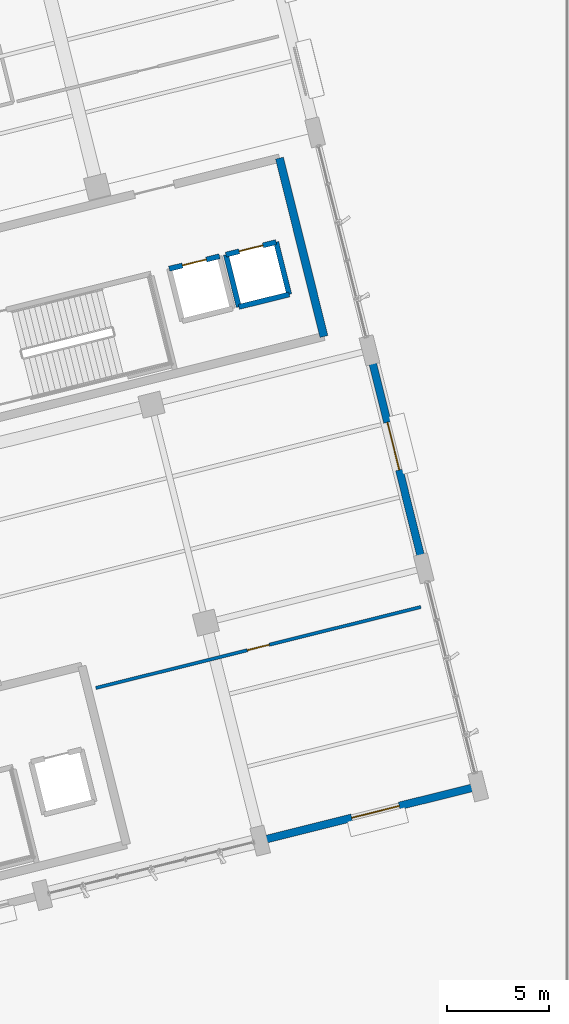
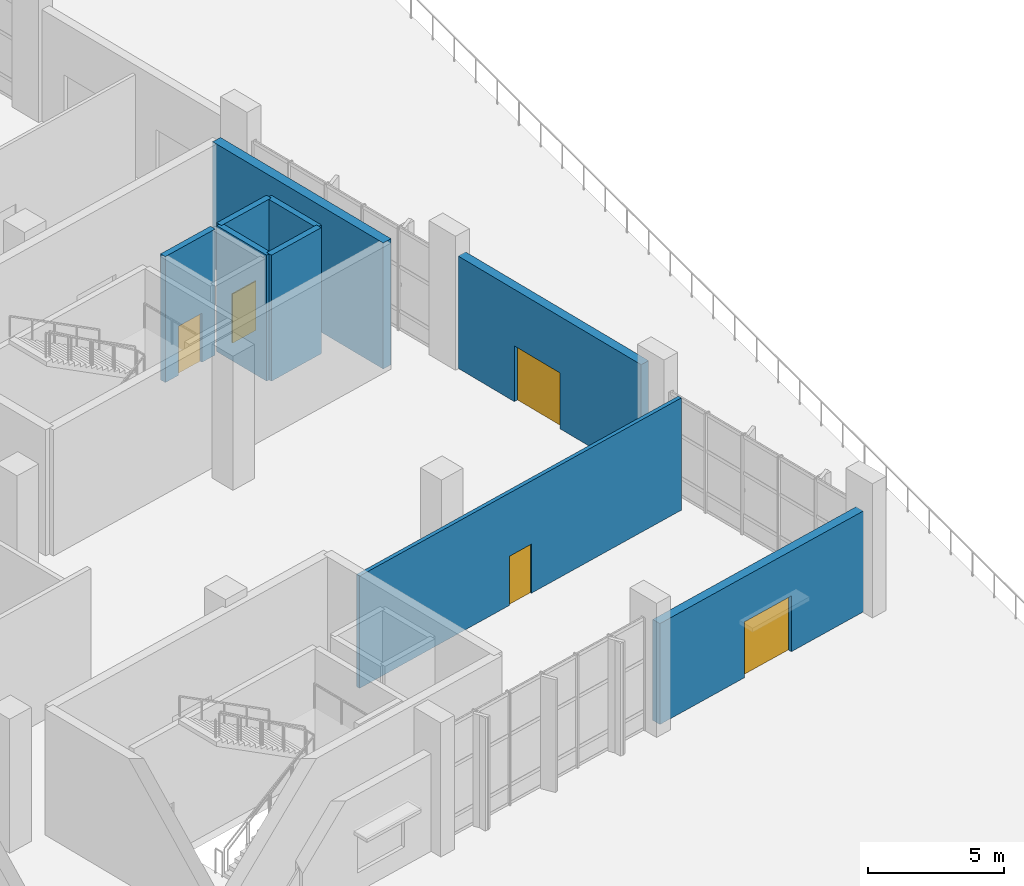
# One storey, part 128 of 163: 9 walls, 5 doors, 5 openings.
"""IFC4 building model written with IfcOpenShell, lengths in metres."""

from ifc_helpers import new_model, si_unit, direction, frame, frame_2d, origin, place, context, subcontext, project, spatial, rectangle, extrude, material, layer, layer_set, type_object, element, fill, save


model = new_model("IFC4")

# Units and contexts
model_context = context("Model", 3, precision=1e-05, world=origin(), true_north=direction((0.0, 1.0)))
body_context = subcontext(model_context, "Body", "Model", "MODEL_VIEW")
ifc_project = project(units=[si_unit("LENGTHUNIT", "METRE"), si_unit("AREAUNIT", "SQUARE_METRE"), si_unit("VOLUMEUNIT", "CUBIC_METRE"), si_unit("PLANEANGLEUNIT", "RADIAN"), si_unit("MASSUNIT", "GRAM", prefix="KILO")], contexts=[model_context])

# Site, building, storey
site_placement = place(None, origin())
site = spatial("IfcSite", under=ifc_project, at=site_placement, CompositionType="ELEMENT")
building_placement = place(site_placement, origin())
building = spatial("IfcBuilding", under=site, at=building_placement, Name="Khorjan Park Terminus", CompositionType="ELEMENT")
storey_placement = place(building_placement, origin())
storey = spatial("IfcBuildingStorey", under=building, at=storey_placement, Name="L00", CompositionType="ELEMENT", Elevation=0.0)

# Wall
ifc_material_1 = material(Name="Concrete C50/60", Category="concrete")
ifc_layer_1 = layer(ifc_material_1, 0.4)
ifc_layer_set_1 = layer_set([ifc_layer_1], Name="Concrete C50/60")
wall_type_1 = type_object("IfcWallType", Name="CW-40", PredefinedType="SHEAR", material=ifc_layer_set_1)
wall_1_placement = place(storey_placement, frame((222.4864, 39.9939, 0.0), z_axis=(0.0, 0.0, 1.0), x_axis=(-0.241923808098, 0.970295249435, 0.0)))
element("IfcWall", 1, at=wall_1_placement, inside=storey, type_object=wall_type_1, Name="Operations North-East Firefighting Core concrete shear wall CW-40 (L00-E2)", PredefinedType="SHEAR", context=body_context, shape_type="SweptSolid", body=[
    extrude(rectangle(XDim=8.9999, YDim=0.4, at=frame_2d((4.5, 0.0))), origin(), (0.0, 0.0, 1.0), 5.64),
])

# Wall, opening, door
ifc_material_2 = material(Name="Pigmented Precast GRC & Concrete C40/50", Category="concrete")
ifc_layer_2 = layer(ifc_material_2, 0.38)
ifc_layer_set_2 = layer_set([ifc_layer_2], Name="Pigmented Precast GRC & Concrete C40/50")
wall_type_2 = type_object("IfcWallType", Name="EW-38", PredefinedType="STANDARD", material=ifc_layer_set_2)
wall_2_placement = place(storey_placement, frame((219.6717, 15.3819, 0.0), z_axis=(0.0, 0.0, 1.0), x_axis=(0.970298281521, 0.241911646842, 0.0)))
wall_2 = element("IfcWall", 2, at=wall_2_placement, inside=storey, type_object=wall_type_2, Name="External pigmented-GRC insulated wall EW-38 (EW-V5-S-L00-B06)", PredefinedType="STANDARD", context=body_context, shape_type="SweptSolid", body=[
    extrude(rectangle(XDim=10.3707, YDim=0.38, at=frame_2d((5.1853, 0.0))), origin(), (0.0, 0.0, 1.0), 4.515),
])
opening_1_placement = place(wall_2_placement, frame((4.3, 0.0, 0.0)))
opening_1 = element("IfcOpeningElement", 3, at=opening_1_placement, cuts=wall_2, Name="Opening ED-24", PredefinedType="OPENING", context=body_context, shape_type="SweptSolid", body=[
    extrude(rectangle(XDim=2.4, YDim=2.5, at=frame_2d((1.2, 1.25))), frame((0.0, 0.2, 0.0), z_axis=(0.0, -1.0, 0.0), x_axis=(1.0, 0.0, 0.0)), (0.0, 0.0, 1.0), 0.4),
])
ifc_material_3 = material(Name="Anodized Bronze Aluminium & Safety Glass", Category="aluminium")
door_type_1 = type_object("IfcDoorType", Name="ED-24", OperationType="NOTDEFINED", PredefinedType="DOOR", material=ifc_material_3)
door_1_placement = place(opening_1_placement, origin())
door_1 = element("IfcDoor", 4, at=door_1_placement, inside=storey, type_object=door_type_1, Name="Exterior door ED-24 (DR-EW-V5-S-L00-B06)", OperationType="DOUBLE_DOOR_SINGLE_SWING", OverallHeight=2.5, OverallWidth=2.4, PredefinedType="DOOR", context=body_context, shape_type="SweptSolid", body=[
    extrude(rectangle(XDim=2.4, YDim=2.5, at=frame_2d((1.2, 1.25))), frame((0.0, 0.025, 0.0), z_axis=(0.0, -1.0, 0.0), x_axis=(1.0, 0.0, 0.0)), (0.0, 0.0, 1.0), 0.05),
])
fill(opening_1, door_1)

wall_3_placement = place(storey_placement, frame((227.2175, 29.2853, 0.0), z_axis=(0.0, 0.0, 1.0), x_axis=(-0.241919949636, 0.970296211457, 0.0)))
wall_3 = element("IfcWall", 5, at=wall_3_placement, inside=storey, type_object=wall_type_2, Name="External pigmented-GRC insulated wall EW-38 (EW-V5-E-L00-B02)", PredefinedType="STANDARD", context=body_context, shape_type="SweptSolid", body=[
    extrude(rectangle(XDim=9.6697, YDim=0.38, at=frame_2d((4.8349, 0.0))), origin(), (0.0, 0.0, 1.0), 5.025),
])
opening_2_placement = place(wall_3_placement, frame((4.3, 0.0, 0.0)))
opening_2 = element("IfcOpeningElement", 6, at=opening_2_placement, cuts=wall_3, Name="Opening ED-24", PredefinedType="OPENING", context=body_context, shape_type="SweptSolid", body=[
    extrude(rectangle(XDim=2.4, YDim=2.5, at=frame_2d((1.2, 1.25))), frame((0.0, 0.2, 0.0), z_axis=(0.0, -1.0, 0.0), x_axis=(1.0, 0.0, 0.0)), (0.0, 0.0, 1.0), 0.4),
])
door_2_placement = place(opening_2_placement, origin())
door_2 = element("IfcDoor", 7, at=door_2_placement, inside=storey, type_object=door_type_1, Name="Exterior door ED-24 (DR-EW-V5-E-L00-B02)", OperationType="DOUBLE_DOOR_SINGLE_SWING", OverallHeight=2.5, OverallWidth=2.4, PredefinedType="DOOR", context=body_context, shape_type="SweptSolid", body=[
    extrude(rectangle(XDim=2.4, YDim=2.5, at=frame_2d((1.2, 1.25))), frame((0.0, 0.025, 0.0), z_axis=(0.0, -1.0, 0.0), x_axis=(1.0, 0.0, 0.0)), (0.0, 0.0, 1.0), 0.05),
])
fill(opening_2, door_2)

ifc_material_4 = material(Name="Insulated Metal-Stud Acoustic Partition")
ifc_layer_3 = layer(ifc_material_4, 0.16)
ifc_layer_set_3 = layer_set([ifc_layer_3], Name="Insulated Metal-Stud Acoustic Partition")
wall_type_3 = type_object("IfcWallType", Name="PT-16", PredefinedType="PARTITIONING", material=ifc_layer_set_3)
wall_4_placement = place(storey_placement, frame((211.3188, 22.7809, 0.0), z_axis=(0.0, 0.0, 1.0), x_axis=(0.970296178232, 0.241920082897, 0.0)))
wall_4 = element("IfcWall", 8, at=wall_4_placement, inside=storey, type_object=wall_type_3, Name="Interior acoustic partition PT-16 (L00-MED)", PredefinedType="PARTITIONING", context=body_context, shape_type="SweptSolid", body=[
    extrude(rectangle(XDim=16.4, YDim=0.16, at=frame_2d((8.2, 0.0))), origin(), (0.0, 0.0, 1.0), 5.025),
])
opening_3_placement = place(wall_4_placement, frame((7.65, 0.0, 0.0)))
opening_3 = element("IfcOpeningElement", 9, at=opening_3_placement, cuts=wall_4, Name="Opening ID-11", PredefinedType="OPENING", context=body_context, shape_type="SweptSolid", body=[
    extrude(rectangle(XDim=1.1, YDim=2.2, at=frame_2d((0.55, 1.1))), frame((0.0, 0.09, 0.0), z_axis=(0.0, -1.0, 0.0), x_axis=(1.0, 0.0, 0.0)), (0.0, 0.0, 1.0), 0.18),
])
ifc_material_5 = material(Name="Acoustic Hardwood Single Door", Category="wood")
door_type_2 = type_object("IfcDoorType", Name="ID-11", OperationType="NOTDEFINED", PredefinedType="DOOR", material=ifc_material_5)
door_3_placement = place(opening_3_placement, origin())
door_3 = element("IfcDoor", 10, at=door_3_placement, inside=storey, type_object=door_type_2, Name="Interior door ID-11 (L00-MED)", OperationType="SINGLE_SWING_RIGHT", OverallHeight=2.2, OverallWidth=1.1, PredefinedType="DOOR", context=body_context, shape_type="SweptSolid", body=[
    extrude(rectangle(XDim=1.1, YDim=2.2, at=frame_2d((0.55, 1.1))), frame((0.0, 0.025, 0.0), z_axis=(0.0, -1.0, 0.0), x_axis=(1.0, 0.0, 0.0)), (0.0, 0.0, 1.0), 0.05),
])
fill(opening_3, door_3)

ifc_material_6 = material(Name="Concrete C40/50", Category="concrete")
ifc_layer_4 = layer(ifc_material_6, 0.25)
ifc_layer_set_4 = layer_set([ifc_layer_4], Name="Concrete C40/50")
wall_type_4 = type_object("IfcWallType", Name="SW-25", PredefinedType="SOLIDWALL", material=ifc_layer_set_4)
wall_5_placement = place(storey_placement, frame((217.3738, 43.9237, 0.0), z_axis=(0.0, 0.0, 1.0), x_axis=(-0.97029284861, -0.241933436994, 0.0)))
wall_5 = element("IfcWall", 11, at=wall_5_placement, inside=storey, type_object=wall_type_4, Name="Lift L07 concrete shaft wall SW-25 (L00-3)", PredefinedType="SOLIDWALL", context=body_context, shape_type="SweptSolid", body=[
    extrude(rectangle(XDim=2.54, YDim=0.25, at=frame_2d((1.27, 0.0))), origin(), (0.0, 0.0, 1.0), 5.64),
])
opening_4_placement = place(wall_5_placement, frame((0.67, 0.0, 0.0)))
opening_4 = element("IfcOpeningElement", 12, at=opening_4_placement, cuts=wall_5, Name="Opening LD-12", PredefinedType="OPENING", context=body_context, shape_type="SweptSolid", body=[
    extrude(rectangle(XDim=1.2, YDim=2.2, at=frame_2d((0.6, 1.1))), frame((0.0, 0.135, 0.0), z_axis=(0.0, -1.0, 0.0), x_axis=(1.0, 0.0, 0.0)), (0.0, 0.0, 1.0), 0.27),
])
ifc_material_7 = material(Name="Stainless-Steel Lift Landing Sliding Door", Category="steel")
door_type_3 = type_object("IfcDoorType", Name="LD-12", OperationType="NOTDEFINED", PredefinedType="DOOR", material=ifc_material_7)
door_4_placement = place(opening_4_placement, origin())
door_4 = element("IfcDoor", 13, at=door_4_placement, inside=storey, type_object=door_type_3, Name="Lift L07 sliding landing door LD-12 (L00)", OperationType="SLIDING_TO_LEFT", OverallHeight=2.2, OverallWidth=1.2, PredefinedType="DOOR", context=body_context, shape_type="SweptSolid", body=[
    extrude(rectangle(XDim=1.2, YDim=2.2, at=frame_2d((0.6, 1.1))), frame((0.0, 0.025, 0.0), z_axis=(0.0, -1.0, 0.0), x_axis=(1.0, 0.0, 0.0)), (0.0, 0.0, 1.0), 0.05),
])
fill(opening_4, door_4)

# Walls
wall_6_placement = place(storey_placement, frame((218.323, 41.4396, 0.0), z_axis=(0.0, 0.0, 1.0), x_axis=(0.97029284861, 0.241933436994, 0.0)))
element("IfcWall", 14, at=wall_6_placement, inside=storey, type_object=wall_type_4, Name="Lift L08 concrete shaft wall SW-25 (L00-1)", PredefinedType="SOLIDWALL", context=body_context, shape_type="SweptSolid", body=[
    extrude(rectangle(XDim=2.54, YDim=0.25, at=frame_2d((1.27, 0.0))), origin(), (0.0, 0.0, 1.0), 5.64),
])
wall_7_placement = place(storey_placement, frame((220.7875, 42.0541, 0.0), z_axis=(0.0, 0.0, 1.0), x_axis=(-0.241938414856, 0.970291607413, 0.0)))
element("IfcWall", 15, at=wall_7_placement, inside=storey, type_object=wall_type_4, Name="Lift L08 concrete shaft wall SW-25 (L00-2)", PredefinedType="SOLIDWALL", context=body_context, shape_type="SweptSolid", body=[
    extrude(rectangle(XDim=2.6399, YDim=0.25, at=frame_2d((1.3199, 0.0))), origin(), (0.0, 0.0, 1.0), 5.64),
])

# Wall, opening, door
wall_8_placement = place(storey_placement, frame((220.1488, 44.6156, 0.0), z_axis=(0.0, 0.0, 1.0), x_axis=(-0.97029284861, -0.241933436994, 0.0)))
wall_8 = element("IfcWall", 16, at=wall_8_placement, inside=storey, type_object=wall_type_4, Name="Lift L08 concrete shaft wall SW-25 (L00-3)", PredefinedType="SOLIDWALL", context=body_context, shape_type="SweptSolid", body=[
    extrude(rectangle(XDim=2.54, YDim=0.25, at=frame_2d((1.27, 0.0))), origin(), (0.0, 0.0, 1.0), 5.64),
])
opening_5_placement = place(wall_8_placement, frame((0.67, 0.0, 0.0)))
opening_5 = element("IfcOpeningElement", 17, at=opening_5_placement, cuts=wall_8, Name="Opening LD-12", PredefinedType="OPENING", context=body_context, shape_type="SweptSolid", body=[
    extrude(rectangle(XDim=1.2, YDim=2.2, at=frame_2d((0.6, 1.1))), frame((0.0, 0.135, 0.0), z_axis=(0.0, -1.0, 0.0), x_axis=(1.0, 0.0, 0.0)), (0.0, 0.0, 1.0), 0.27),
])
door_5_placement = place(opening_5_placement, origin())
door_5 = element("IfcDoor", 18, at=door_5_placement, inside=storey, type_object=door_type_3, Name="Lift L08 sliding landing door LD-12 (L00)", OperationType="SLIDING_TO_RIGHT", OverallHeight=2.2, OverallWidth=1.2, PredefinedType="DOOR", context=body_context, shape_type="SweptSolid", body=[
    extrude(rectangle(XDim=1.2, YDim=2.2, at=frame_2d((0.6, 1.1))), frame((0.0, 0.025, 0.0), z_axis=(0.0, -1.0, 0.0), x_axis=(1.0, 0.0, 0.0)), (0.0, 0.0, 1.0), 0.05),
])
fill(opening_5, door_5)

# Wall
wall_9_placement = place(storey_placement, frame((217.6843, 44.0011, 0.0), z_axis=(0.0, 0.0, 1.0), x_axis=(0.241938414856, -0.970291607413, 0.0)))
element("IfcWall", 19, at=wall_9_placement, inside=storey, type_object=wall_type_4, Name="Lift L08 concrete shaft wall SW-25 (L00-4)", PredefinedType="SOLIDWALL", context=body_context, shape_type="SweptSolid", body=[
    extrude(rectangle(XDim=2.6399, YDim=0.25, at=frame_2d((1.3199, 0.0))), origin(), (0.0, 0.0, 1.0), 5.64),
])

save(model, "model.ifc")
